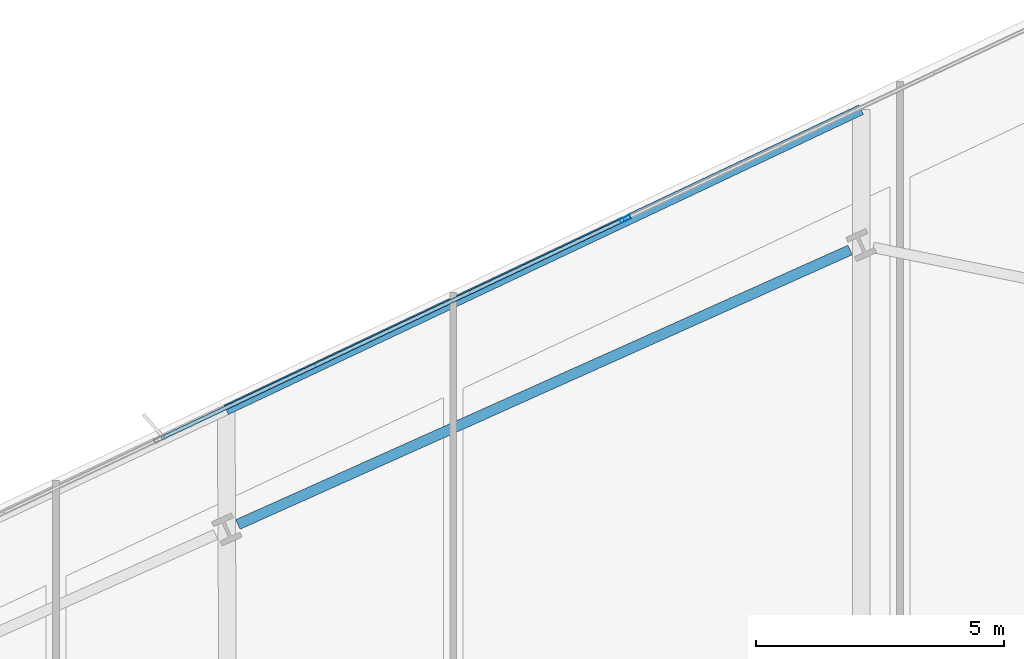
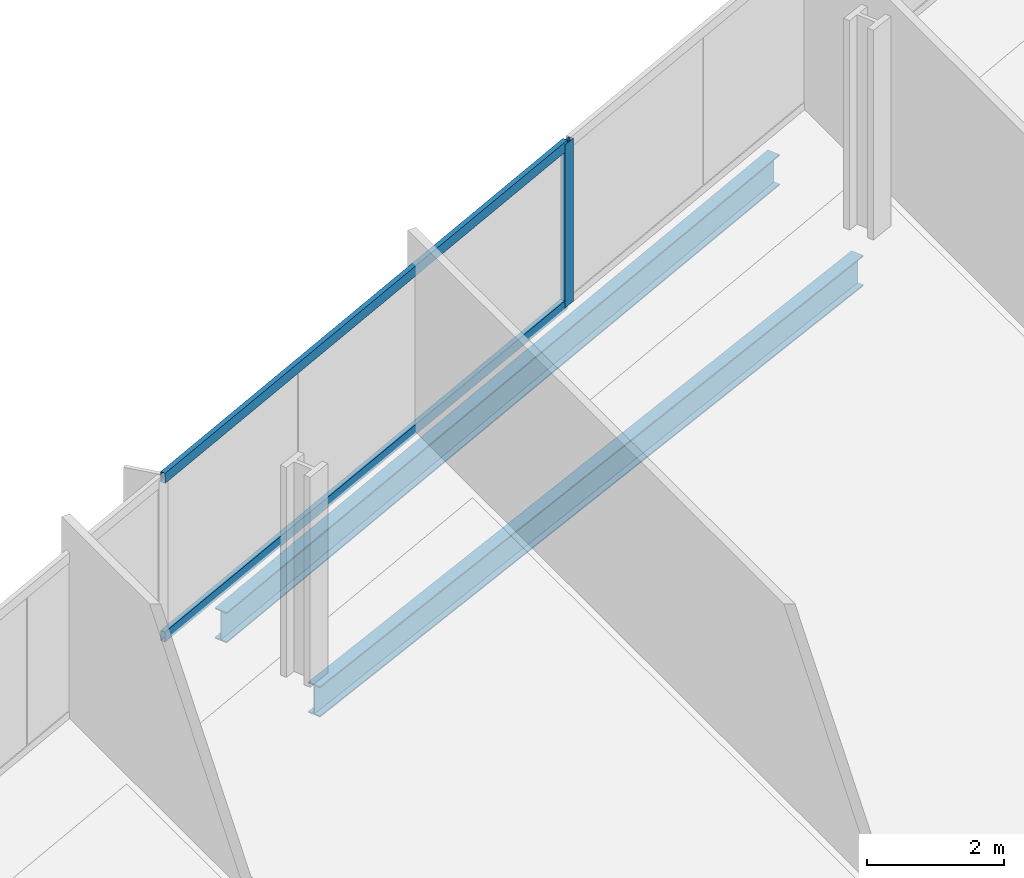
# One storey, part 18 of 34: 3 members, 2 beams, 1 element without a shape of its own.
"""IFC4 building model written with IfcOpenShell, lengths in metres."""

from ifc_helpers import new_model, si_unit, direction, frame, origin, origin_2d, place, context, subcontext, project, spatial, hollow_rectangle, i_section, extrude, material, material_profile, profile_set, type_object, element, aggregate, save


model = new_model("IFC4")

# Units and contexts
model_context = context("Model", 3, precision=1e-05, world=origin(), true_north=direction((0.0, 1.0)))
body_context = subcontext(model_context, "Body", "Model", "MODEL_VIEW")
ifc_project = project(units=[si_unit("LENGTHUNIT", "METRE"), si_unit("AREAUNIT", "SQUARE_METRE"), si_unit("VOLUMEUNIT", "CUBIC_METRE"), si_unit("PLANEANGLEUNIT", "RADIAN"), si_unit("MASSUNIT", "GRAM", prefix="KILO")], contexts=[model_context])

# Site, building, storey
site_placement = place(None, origin())
site = spatial("IfcSite", under=ifc_project, at=site_placement, CompositionType="ELEMENT")
building_placement = place(site_placement, origin())
building = spatial("IfcBuilding", under=site, at=building_placement, Name="Haldenkirk Collegiate Tower", CompositionType="ELEMENT")
storey_placement = place(building_placement, frame((0.0, 0.0, 112.949951171875)))
storey = spatial("IfcBuildingStorey", under=building, at=storey_placement, Name="L27", CompositionType="ELEMENT", Elevation=112.949951171875)

# Beams
ifc_material_1 = material(Name="Steel ASTM A992 Grade 50", Category="steel")
ifc_material_profile_1 = material_profile(ifc_material_1, i_section(OverallWidth=0.2119140625, OverallDepth=0.5439453125, WebThickness=0.01318359375, FlangeThickness=0.021240234375, at=origin_2d()), Name="W21X83")
ifc_profile_set_1 = profile_set([ifc_material_profile_1], Name="Steel ASTM A992 Grade 50")
beam_type = type_object("IfcBeamType", Name="BM-SPANDREL-W21X83", PredefinedType="SPANDREL", material=ifc_profile_set_1)
beam_1_placement = place(storey_placement, frame((39.4921875, 51.84033203125, -0.572021484375), z_axis=(-0.912476765144, -0.409128528793, 0.0), x_axis=(0.409128528793, -0.912476765144, 0.0)))
element("IfcBeam", 1, at=beam_1_placement, inside=storey, type_object=beam_type, Name="L27 perimeter spandrel beam 10", PredefinedType="SPANDREL", context=body_context, shape_type="SweptSolid", body=[
    extrude(i_section(OverallWidth=0.2119140625, OverallDepth=0.5439453125, WebThickness=0.01318359375, FlangeThickness=0.021240234375, at=origin_2d()), origin(), (0.0, 0.0, 1.0), 13.512939453125),
])
beam_2_placement = place(storey_placement, frame((39.71630859375, 54.66796875, -0.572021484375), z_axis=(-0.904076630665, -0.427370384895, 0.0), x_axis=(0.427370384895, -0.904076630665, 0.0)))
element("IfcBeam", 2, at=beam_2_placement, inside=storey, type_object=beam_type, Name="L27 outer facade edge beam 3A", PredefinedType="SPANDREL", context=body_context, shape_type="SweptSolid", body=[
    extrude(i_section(OverallWidth=0.2119140625, OverallDepth=0.5439453125, WebThickness=0.01318359375, FlangeThickness=0.021240234375, at=origin_2d()), origin(), (0.0, 0.0, 1.0), 14.14794921875),
])

# Curtain wall, members
ifc_material_2 = material(Name="Anodised architectural bronze aluminium", Category="aluminium")
curtain_wall_type = type_object("IfcCurtainWallType", Name="CW-SYS1-CONVEX-LOW", PredefinedType="USERDEFINED", material=ifc_material_2)
curtain_wall_placement = place(storey_placement, origin())
curtain_wall = element("IfcCurtainWall", 3, at=curtain_wall_placement, inside=storey, type_object=curtain_wall_type, Name="L27 Lower tower convex bronze-framed unitised curtain wall", ObjectType="UNITISED CURTAIN WALL", PredefinedType="USERDEFINED")
ifc_material_profile_2 = material_profile(ifc_material_2, hollow_rectangle(XDim=0.080078125, YDim=0.219970703125, WallThickness=0.0048828125, at=origin_2d()), Name="CW-MUL-1A")
ifc_profile_set_2 = profile_set([ifc_material_profile_2], Name="Anodised architectural bronze aluminium")
member_type_1 = type_object("IfcMemberType", Name="CW-MUL-1A", PredefinedType="MULLION", material=ifc_profile_set_2)
member_1_placement = place(storey_placement, frame((34.965087890625, 52.46630859375, 0.0), z_axis=(0.0, 0.0, 1.0), x_axis=(-0.42735906226, 0.904081982955, 0.0)))
member_1 = element("IfcMember", 4, at=member_1_placement, type_object=member_type_1, Name="CW-1A mullion 4", PredefinedType="MULLION", context=body_context, shape_type="SweptSolid", body=[
    extrude(hollow_rectangle(XDim=0.080078125, YDim=0.219970703125, WallThickness=0.0048828125, at=origin_2d()), origin(), (0.0, 0.0, 1.0), 2.901123046875),
])
ifc_material_profile_3 = material_profile(ifc_material_2, hollow_rectangle(XDim=0.080078125, YDim=0.179931640625, WallThickness=0.0048828125, at=origin_2d()), Name="CW-TRN-1A")
ifc_profile_set_3 = profile_set([ifc_material_profile_3], Name="Anodised architectural bronze aluminium")
member_type_2 = type_object("IfcMemberType", Name="CW-TRN-1A", PredefinedType="USERDEFINED", material=ifc_profile_set_3)
member_2_placement = place(storey_placement, frame((25.62158203125, 48.049560546875, 0.0400390625), z_axis=(0.904079430158, 0.427364462683, 0.0), x_axis=(-0.427364462683, 0.904079430158, 0.0)))
member_2 = element("IfcMember", 5, at=member_2_placement, type_object=member_type_2, Name="CW-1A transom 3.1", ObjectType="TRANSOM", PredefinedType="USERDEFINED", context=body_context, shape_type="SweptSolid", body=[
    extrude(hollow_rectangle(XDim=0.080078125, YDim=0.179931640625, WallThickness=0.0048828125, at=origin_2d()), origin(), (0.0, 0.0, 1.0), 10.294921875),
])
member_3_placement = place(storey_placement, frame((25.62158203125, 48.049560546875, 2.861083984375), z_axis=(0.904079430158, 0.427364462683, 0.0), x_axis=(-0.427364462683, 0.904079430158, 0.0)))
member_3 = element("IfcMember", 6, at=member_3_placement, type_object=member_type_2, Name="CW-1A transom 3.2", ObjectType="TRANSOM", PredefinedType="USERDEFINED", context=body_context, shape_type="SweptSolid", body=[
    extrude(hollow_rectangle(XDim=0.080078125, YDim=0.179931640625, WallThickness=0.0048828125, at=origin_2d()), origin(), (0.0, 0.0, 1.0), 10.294921875),
])
aggregate(curtain_wall, [member_1, member_2, member_3])

save(model, "model.ifc")
